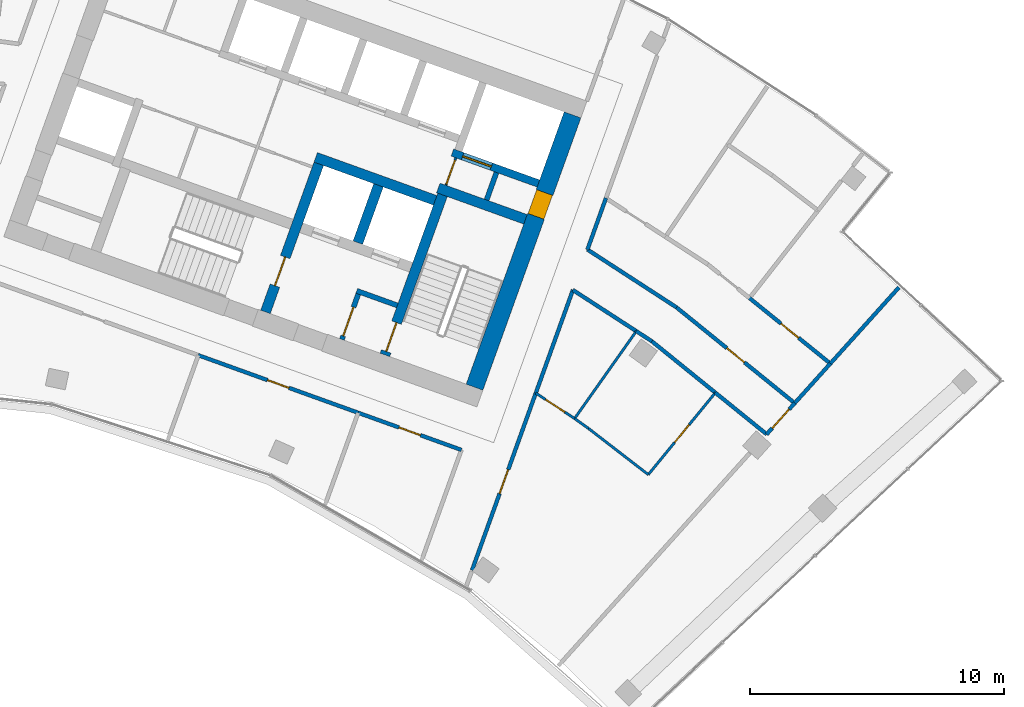
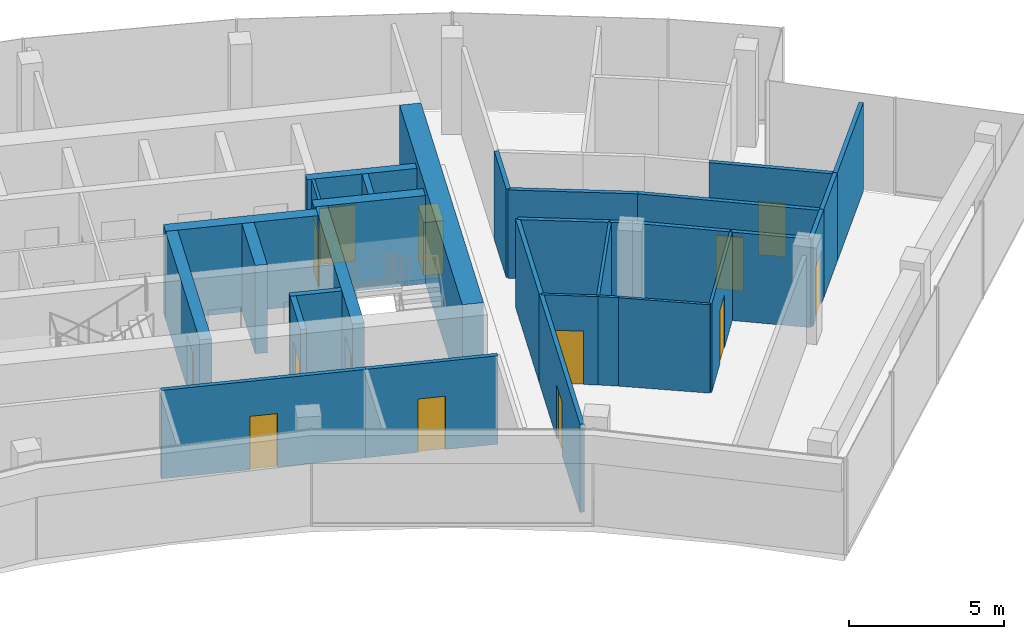
# One storey, part 16 of 18: 31 walls, 14 doors, 14 openings.
"""IFC4 building model written with IfcOpenShell, lengths in metres."""

import ifcopenshell
import ifcopenshell.guid

model = None  # the IFC model being written
_history = None  # IfcOwnerHistory: only IFC2X3 demands one
_inside = {}  # id of a spatial element -> (the spatial element, [elements in it])
_under = {}  # id of a project, library or spatial element -> (it, [spatial elements below it])
_declared = {}  # id of a project -> (the project, [libraries it declares])
_typed = {}  # id of a type object -> (the type object, [elements of that type])
_made_of = {}  # id of a material, layer set ... -> (it, [elements and type objects made of it])


def new_model(schema):
    """Start an empty IFC model of exactly this schema.

    Asked for "IFC4X3", IfcOpenShell would pick the latest addendum, in which some entities
    have other attributes; the version numbers below select the first issue.
    IFC2X3 requires an IfcOwnerHistory on every rooted entity: one is made here for all.
    """
    global model, _history
    if schema == "IFC4X3":
        model = ifcopenshell.file(schema_version=(4, 3, 0, 0))
    else:
        model = ifcopenshell.file(schema=schema)
    _inside.clear()
    _under.clear()
    _declared.clear()
    _typed.clear()
    _made_of.clear()
    _history = None
    if model.schema == "IFC2X3":
        org = make("IfcOrganization", Name="unknown")
        user = make(
            "IfcPersonAndOrganization",
            ThePerson=make("IfcPerson", FamilyName="unknown"),
            TheOrganization=org,
        )
        app = make(
            "IfcApplication",
            ApplicationDeveloper=org,
            Version="unknown",
            ApplicationFullName="unknown",
            ApplicationIdentifier="unknown",
        )
        _history = make(
            "IfcOwnerHistory",
            OwningUser=user,
            OwningApplication=app,
            ChangeAction="ADDED",
            CreationDate=0,
        )
    return model


def make(cls, **values):
    """One entity of the class cls with the attributes given. An attribute that is None is left unset."""
    return model.create_entity(
        cls, **{name: value for name, value in values.items() if value is not None}
    )


def rooted(cls, **values):
    """An entity with a GlobalId (a new one), such as an element, a storey or a relation."""
    return make(cls, GlobalId=ifcopenshell.guid.new(), OwnerHistory=_history, **values)


def si_unit(unit_type, name, prefix=None):
    """IfcSIUnit, for example si_unit("LENGTHUNIT", "METRE", prefix="MILLI")."""
    return make("IfcSIUnit", UnitType=unit_type, Prefix=prefix, Name=name)


def assignment(units):
    """IfcUnitAssignment: the units of a project."""
    return None if units is None else make("IfcUnitAssignment", Units=units)


def point(xyz):
    """IfcCartesianPoint."""
    return None if xyz is None else make("IfcCartesianPoint", Coordinates=xyz)


def direction(xyz):
    """IfcDirection."""
    return None if xyz is None else make("IfcDirection", DirectionRatios=xyz)


def frame(location, z_axis=None, x_axis=None):
    """IfcAxis2Placement3D, a coordinate frame: its origin and axes. An axis left out is left unset."""
    return make(
        "IfcAxis2Placement3D",
        Location=point(location),
        Axis=direction(z_axis),
        RefDirection=direction(x_axis),
    )


def frame_2d(location, x_axis=None):
    """IfcAxis2Placement2D, a coordinate frame in the plane: its origin and x axis."""
    return make(
        "IfcAxis2Placement2D", Location=point(location), RefDirection=direction(x_axis)
    )


def origin():
    """The frame at (0, 0, 0) with its axes left unset."""
    return frame((0.0, 0.0, 0.0))


def place(relative_to, where):
    """IfcLocalPlacement: puts the frame where relative to a parent placement (None: the world)."""
    return make(
        "IfcLocalPlacement", PlacementRelTo=relative_to, RelativePlacement=where
    )


def context(
    kind, dimensions, precision=None, world=None, true_north=None, identifier=None
):
    """IfcGeometricRepresentationContext, for example the 3D "Model" context."""
    return make(
        "IfcGeometricRepresentationContext",
        ContextIdentifier=identifier,
        ContextType=kind,
        CoordinateSpaceDimension=dimensions,
        Precision=precision,
        WorldCoordinateSystem=world,
        TrueNorth=true_north,
    )


def subcontext(parent, identifier, kind, view, scale=None):
    """IfcGeometricRepresentationSubContext, for example "Body" below "Model"."""
    return make(
        "IfcGeometricRepresentationSubContext",
        ContextIdentifier=identifier,
        ContextType=kind,
        ParentContext=parent,
        TargetScale=scale,
        TargetView=view,
    )


def project(units=None, contexts=None):
    """IfcProject with its units and contexts."""
    return rooted(
        "IfcProject",
        Name="project",
        RepresentationContexts=contexts,
        UnitsInContext=assignment(units),
    )


def spatial(cls, under=None, at=None, **own):
    """A site, building, storey or space (cls), placed at a placement, below another one or the project."""
    s = rooted(cls, ObjectPlacement=at, **own)
    if under is not None:
        _under.setdefault(under.id(), (under, []))[1].append(s)
    return s


def profile(cls, at=None, kind="AREA", **sizes):
    """A parametric profile (cls). Its sizes go by their IFC names, for example OverallWidth=200.0."""
    return make(cls, ProfileType=kind, Position=at, **sizes)


def rectangle(**sizes):
    """IfcRectangleProfileDef."""
    return profile("IfcRectangleProfileDef", **sizes)


def extrude(swept, where, along, depth):
    """IfcExtrudedAreaSolid: the profile swept, set in the frame where, extruded along a direction by depth."""
    return make(
        "IfcExtrudedAreaSolid",
        SweptArea=swept,
        Position=where,
        ExtrudedDirection=direction(along),
        Depth=depth,
    )


def shape(context_of_items, identifier, shape_type, items):
    """IfcShapeRepresentation: the items that make up one representation, for example the "Body"."""
    return make(
        "IfcShapeRepresentation",
        ContextOfItems=context_of_items,
        RepresentationIdentifier=identifier,
        RepresentationType=shape_type,
        Items=items,
    )


def material(Name=None, Category=None):
    """IfcMaterial."""
    return make("IfcMaterial", Name=Name, Category=Category)


def layer(
    of_material, thickness, ventilated=None, Name=None, Category=None, Priority=None
):
    """IfcMaterialLayer: one layer of a wall or slab, of a material (None: an air gap)."""
    return make(
        "IfcMaterialLayer",
        Material=of_material,
        LayerThickness=thickness,
        IsVentilated=ventilated,
        Name=Name,
        Category=Category,
        Priority=Priority,
    )


def layer_set(layers, Name=None):
    """IfcMaterialLayerSet."""
    return make("IfcMaterialLayerSet", MaterialLayers=layers, LayerSetName=Name)


def made_of(thing, what):
    """Note that an element or type object is made of a material, layer set ...; save() writes the relation."""
    if what is not None:
        _made_of.setdefault(what.id(), (what, []))[1].append(thing)
    return thing


def type_object(cls, material=None, **own):
    """A type object (cls), such as IfcWallType, which elements share."""
    return made_of(rooted(cls, **own), material)


def element(
    cls,
    number,
    at=None,
    inside=None,
    cuts=None,
    type_object=None,
    material=None,
    context=None,
    identifier="Body",
    shape_type=None,
    held_by="IfcProductDefinitionShape",
    body=None,
    shapes=None,
    **own,
):
    """One element of the class cls, such as IfcWall. Its Tag is "e" and its number.

    at: its placement. inside: the storey or other place that contains it. cuts: it is an
    opening in that element (IfcRelVoidsElement). A single representation is given by context,
    identifier, shape_type and body (its items); several are given by shapes. held_by: the class
    of the entity that holds the representations. save() writes the other relations.
    """
    e = rooted(cls, Tag="e%d" % number, ObjectPlacement=at, **own)
    if body is not None:
        shapes = [shape(context, identifier, shape_type, body)]
    if shapes is not None:
        e.Representation = make(held_by, Representations=shapes)
    if inside is not None:
        _inside.setdefault(inside.id(), (inside, []))[1].append(e)
    if cuts is not None:
        rooted(
            "IfcRelVoidsElement", RelatingBuildingElement=cuts, RelatedOpeningElement=e
        )
    if type_object is not None:
        _typed.setdefault(type_object.id(), (type_object, []))[1].append(e)
    return made_of(e, material)


def fill(opening, filler):
    """IfcRelFillsElement: the door or window that sits in an opening."""
    return rooted(
        "IfcRelFillsElement",
        RelatingOpeningElement=opening,
        RelatedBuildingElement=filler,
    )


def aggregate(whole, parts):
    """IfcRelAggregates: a whole, such as a stair, and the parts it consists of."""
    return rooted("IfcRelAggregates", RelatingObject=whole, RelatedObjects=parts)


def save(model, path):
    """Write the relations noted so far, then the file.

    IfcRelAggregates (storeys below a building ...), IfcRelContainedInSpatialStructure (elements
    in a storey), IfcRelDefinesByType, IfcRelAssociatesMaterial and IfcRelDeclares: one each for
    every whole, place, type object, material and project.
    """
    for whole, parts in _under.values():
        aggregate(whole, parts)
    for where, things in _inside.values():
        rooted(
            "IfcRelContainedInSpatialStructure",
            RelatedElements=things,
            RelatingStructure=where,
        )
    for kind, things in _typed.values():
        rooted("IfcRelDefinesByType", RelatedObjects=things, RelatingType=kind)
    for what, things in _made_of.values():
        rooted("IfcRelAssociatesMaterial", RelatedObjects=things, RelatingMaterial=what)
    for by, libraries in _declared.values():
        rooted("IfcRelDeclares", RelatingContext=by, RelatedDefinitions=libraries)
    model.write(path)


model = new_model("IFC4")

# Units and contexts
model_context = context("Model", 3, precision=1e-05, world=origin(), true_north=direction((0.0, 1.0)))
body_context = subcontext(model_context, "Body", "Model", "MODEL_VIEW")
ifc_project = project(units=[si_unit("LENGTHUNIT", "METRE"), si_unit("AREAUNIT", "SQUARE_METRE"), si_unit("VOLUMEUNIT", "CUBIC_METRE"), si_unit("PLANEANGLEUNIT", "RADIAN"), si_unit("MASSUNIT", "GRAM", prefix="KILO")], contexts=[model_context])

# Site, building, storey
site_placement = place(None, origin())
site = spatial("IfcSite", under=ifc_project, at=site_placement, CompositionType="ELEMENT")
building_placement = place(site_placement, origin())
building = spatial("IfcBuilding", under=site, at=building_placement, Name="Stone Belt Terrace Tower", CompositionType="ELEMENT")
storey_placement = place(building_placement, frame((0.0, 0.0, 277.0)))
storey = spatial("IfcBuildingStorey", under=building, at=storey_placement, Name="L67", CompositionType="ELEMENT", Elevation=277.0)

# Wall, opening, door
ifc_material_1 = material(Name="Plasterboard partition")
ifc_layer_1 = layer(ifc_material_1, 0.10009765625)
ifc_layer_set_1 = layer_set([ifc_layer_1], Name="Core partition 100")
wall_type_1 = type_object("IfcWallType", Name="Core partition 100", PredefinedType="PARTITIONING", material=ifc_layer_set_1)
wall_1_placement = place(storey_placement, frame((24.555908203125, 51.10400390625, 0.0), z_axis=(0.0, 0.0, 1.0), x_axis=(0.338621735342, 0.94092258999, 0.0)))
wall_1 = element("IfcWall", 1, at=wall_1_placement, inside=storey, type_object=wall_type_1, Name="Core B wall", PredefinedType="PARTITIONING", context=body_context, shape_type="SweptSolid", body=[
    extrude(rectangle(XDim=1.14990234375, YDim=0.10009765625, at=frame_2d((0.574951171875, 0.0))), origin(), (0.0, 0.0, 1.0), 3.47998046875),
])
opening_1_placement = place(wall_1_placement, frame((0.050048828125, 0.0, 0.0)))
opening_1 = element("IfcOpeningElement", 2, at=opening_1_placement, cuts=wall_1, Name="Opening L67-C23", PredefinedType="OPENING", context=body_context, shape_type="SweptSolid", body=[
    extrude(rectangle(XDim=1.0, YDim=2.10009765625, at=frame_2d((0.5, 1.050048828125))), frame((0.0, 0.06005859375, 0.0), z_axis=(0.0, -1.0, 0.0), x_axis=(1.0, 0.0, 0.0)), (0.0, 0.0, 1.0), 0.1201171875),
])
ifc_material_2 = material(Name="Timber door leaf", Category="wood")
door_type_1 = type_object("IfcDoorType", Name="Core room door 1000", OperationType="SINGLE_SWING_LEFT", PredefinedType="DOOR", material=ifc_material_2)
door_1_placement = place(opening_1_placement, origin())
door_1 = element("IfcDoor", 3, at=door_1_placement, inside=storey, type_object=door_type_1, Name="Service lift lobby door core B", OperationType="SINGLE_SWING_LEFT", OverallHeight=2.10009765625, OverallWidth=1.0, PredefinedType="DOOR", context=body_context, shape_type="SweptSolid", body=[
    extrude(rectangle(XDim=1.0, YDim=2.10009765625, at=frame_2d((0.5, 1.050048828125))), frame((0.0, 0.02490234375, 0.0), z_axis=(0.0, -1.0, 0.0), x_axis=(1.0, 0.0, 0.0)), (0.0, 0.0, 1.0), 0.050048828125),
])
fill(opening_1, door_1)

ifc_material_3 = material(Name="Concrete B60", Category="concrete")
ifc_layer_2 = layer(ifc_material_3, 0.699951171875)
ifc_layer_set_2 = layer_set([ifc_layer_2], Name="Core wall 700 B60")
wall_type_2 = type_object("IfcWallType", Name="Core wall 700 B60", PredefinedType="SHEAR", material=ifc_layer_set_2)
wall_2_placement = place(storey_placement, frame((25.679931640625, 43.153564453125, 0.0), z_axis=(0.0, 0.0, 1.0), x_axis=(0.338625431531, 0.940921259788, 0.0)))
wall_2 = element("IfcWall", 4, at=wall_2_placement, inside=storey, type_object=wall_type_2, Name="Core B wall end_b L67", PredefinedType="SHEAR", context=body_context, shape_type="SweptSolid", body=[
    extrude(rectangle(XDim=11.400146484375, YDim=0.699951171875, at=frame_2d((5.7001953125, 0.0))), origin(), (0.0, 0.0, 1.0), 3.800048828125),
])
opening_2_placement = place(wall_2_placement, frame((7.14990234375, 0.0, 0.0)))
opening_2 = element("IfcOpeningElement", 5, at=opening_2_placement, cuts=wall_2, Name="Opening L67-C22", PredefinedType="OPENING", context=body_context, shape_type="SweptSolid", body=[
    extrude(rectangle(XDim=1.0, YDim=2.10009765625, at=frame_2d((0.5, 1.050048828125))), frame((0.0, 0.35986328125, 0.0), z_axis=(0.0, -1.0, 0.0), x_axis=(1.0, 0.0, 0.0)), (0.0, 0.0, 1.0), 0.719970703125),
])
door_2_placement = place(opening_2_placement, origin())
door_2 = element("IfcDoor", 6, at=door_2_placement, inside=storey, type_object=door_type_1, Name="Door to Telecommunications riser room core B", OperationType="SINGLE_SWING_RIGHT", OverallHeight=2.10009765625, OverallWidth=1.0, PredefinedType="DOOR", context=body_context, shape_type="SweptSolid", body=[
    extrude(rectangle(XDim=1.0, YDim=2.10009765625, at=frame_2d((0.5, 1.050048828125))), frame((0.0, 0.330078125, 0.0), z_axis=(0.0, -1.0, 0.0), x_axis=(1.0, 0.0, 0.0)), (0.0, 0.0, 1.0), 0.659912109375),
])
fill(opening_2, door_2)

# Walls
ifc_material_4 = material(Name="Concrete B80", Category="concrete")
ifc_layer_3 = layer(ifc_material_4, 0.39990234375)
ifc_layer_set_3 = layer_set([ifc_layer_3], Name="Fire-fighting lift shaft wall 400")
wall_type_3 = type_object("IfcWallType", Name="Fire-fighting lift shaft wall 400", PredefinedType="SHEAR", material=ifc_layer_set_3)
wall_3_placement = place(storey_placement, frame((24.130615234375, 50.512939453125, 0.0), z_axis=(0.0, 0.0, 1.0), x_axis=(-0.94091168377, 0.338652038744, 0.0)))
element("IfcWall", 7, at=wall_3_placement, inside=storey, type_object=wall_type_3, Name="Core B wall", PredefinedType="SHEAR", context=body_context, shape_type="SweptSolid", body=[
    extrude(rectangle(XDim=5.000244140625, YDim=0.39990234375, at=frame_2d((2.5, 0.0))), origin(), (0.0, 0.0, 1.0), 3.47998046875),
])
wall_4_placement = place(storey_placement, frame((21.0859375, 48.845458984375, 0.0), z_axis=(0.0, 0.0, 1.0), x_axis=(0.338629416206, 0.940919825745, 0.0)))
element("IfcWall", 8, at=wall_4_placement, inside=storey, type_object=wall_type_3, Name="Core B wall", PredefinedType="SHEAR", context=body_context, shape_type="SweptSolid", body=[
    extrude(rectangle(XDim=2.400146484375, YDim=0.39990234375, at=frame_2d((1.2001953125, 0.0))), origin(), (0.0, 0.0, 1.0), 3.47998046875),
])

# Wall, opening, door
ifc_layer_4 = layer(ifc_material_4, 0.300048828125)
ifc_layer_set_4 = layer_set([ifc_layer_4], Name="Lift shaft wall 300")
wall_type_4 = type_object("IfcWallType", Name="Lift shaft wall 300", PredefinedType="SHEAR", material=ifc_layer_set_4)
wall_5_placement = place(storey_placement, frame((28.195068359375, 51.17578125, 0.0), z_axis=(0.0, 0.0, 1.0), x_axis=(-0.940901243567, 0.338681044427, 0.0)))
wall_5 = element("IfcWall", 9, at=wall_5_placement, inside=storey, type_object=wall_type_4, Name="Core B wall", PredefinedType="SHEAR", context=body_context, shape_type="SweptSolid", body=[
    extrude(rectangle(XDim=3.599853515625, YDim=0.300048828125, at=frame_2d((1.7998046875, 0.0))), origin(), (0.0, 0.0, 1.0), 3.47998046875),
])
opening_3_placement = place(wall_5_placement, frame((1.969970703125, 0.0, 0.0)))
opening_3 = element("IfcOpeningElement", 10, at=opening_3_placement, cuts=wall_5, Name="Opening L67-LD14", PredefinedType="OPENING", context=body_context, shape_type="SweptSolid", body=[
    extrude(rectangle(XDim=1.199951171875, YDim=2.199951171875, at=frame_2d((0.60009765625, 1.10009765625))), frame((0.0, 0.159912109375, 0.0), z_axis=(0.0, -1.0, 0.0), x_axis=(1.0, 0.0, 0.0)), (0.0, 0.0, 1.0), 0.320068359375),
])
ifc_material_5 = material(Name="Stainless steel door leaf", Category="steel")
door_type_2 = type_object("IfcDoorType", Name="Landing door 1200", OperationType="SLIDING_TO_LEFT", PredefinedType="DOOR", material=ifc_material_5)
door_3_placement = place(opening_3_placement, origin())
door_3 = element("IfcDoor", 11, at=door_3_placement, inside=storey, type_object=door_type_2, Name="Landing door SV1 core B", OperationType="SLIDING_TO_LEFT", OverallHeight=2.199951171875, OverallWidth=1.199951171875, PredefinedType="DOOR", context=body_context, shape_type="SweptSolid", body=[
    extrude(rectangle(XDim=1.199951171875, YDim=2.199951171875, at=frame_2d((0.60009765625, 1.10009765625))), frame((0.0, 0.02490234375, 0.0), z_axis=(0.0, -1.0, 0.0), x_axis=(1.0, 0.0, 0.0)), (0.0, 0.0, 1.0), 0.050048828125),
])
fill(opening_3, door_3)

ifc_material_6 = material(Name="Gypsum board partition")
ifc_layer_5 = layer(ifc_material_6, 0.10009765625)
ifc_layer_set_5 = layer_set([ifc_layer_5], Name="PARTITION 100")
wall_type_5 = type_object("IfcWallType", Name="PARTITION 100", PredefinedType="PARTITIONING", material=ifc_layer_set_5)
wall_6_placement = place(storey_placement, frame((28.093017578125, 42.9208984375, 0.0), z_axis=(0.0, 0.0, 1.0), x_axis=(0.836665899721, -0.547713585958, 0.0)))
wall_6 = element("IfcWall", 12, at=wall_6_placement, inside=storey, type_object=wall_type_5, Name="L67/wall/i070", PredefinedType="PARTITIONING", context=body_context, shape_type="SweptSolid", body=[
    extrude(rectangle(XDim=1.82763671875, YDim=0.10009765625, at=frame_2d((0.913818359375, 0.0))), origin(), (0.0, 0.0, 1.0), 3.47998046875),
])
opening_4_placement = place(wall_6_placement, frame((0.4638671875, 0.0, 0.0)))
opening_4 = element("IfcOpeningElement", 13, at=opening_4_placement, cuts=wall_6, Name="Opening D-E2-20", PredefinedType="OPENING", context=body_context, shape_type="SweptSolid", body=[
    extrude(rectangle(XDim=0.89990234375, YDim=2.10009765625, at=frame_2d((0.449951171875, 1.050048828125))), frame((0.0, 0.06005859375, 0.0), z_axis=(0.0, -1.0, 0.0), x_axis=(1.0, 0.0, 0.0)), (0.0, 0.0, 1.0), 0.1201171875),
])
door_type_3 = type_object("IfcDoorType", Name="OFFICE DOOR 900 X 2100", OperationType="NOTDEFINED", PredefinedType="DOOR", material=ifc_material_2)
door_4_placement = place(opening_4_placement, origin())
door_4 = element("IfcDoor", 14, at=door_4_placement, inside=storey, type_object=door_type_3, Name="L67/door/i20", OperationType="SINGLE_SWING_RIGHT", OverallHeight=2.10009765625, OverallWidth=0.89990234375, PredefinedType="DOOR", context=body_context, shape_type="SweptSolid", body=[
    extrude(rectangle(XDim=0.89990234375, YDim=2.10009765625, at=frame_2d((0.449951171875, 1.050048828125))), frame((0.0, 0.02490234375, 0.0), z_axis=(0.0, -1.0, 0.0), x_axis=(1.0, 0.0, 0.0)), (0.0, 0.0, 1.0), 0.050048828125),
])
fill(opening_4, door_4)

# Walls
wall_7_placement = place(storey_placement, frame((29.6220703125, 41.919921875, 0.0), z_axis=(0.0, 0.0, 1.0), x_axis=(0.813170941338, -0.582024930878, 0.0)))
element("IfcWall", 15, at=wall_7_placement, inside=storey, type_object=wall_type_5, Name="L67/wall/i071", PredefinedType="PARTITIONING", context=body_context, shape_type="SweptSolid", body=[
    extrude(rectangle(XDim=0.6748046875, YDim=0.10009765625, at=frame_2d((0.33740234375, 0.0))), origin(), (0.0, 0.0, 1.0), 3.47998046875),
])
wall_8_placement = place(storey_placement, frame((30.1708984375, 41.527099609375, 0.0), z_axis=(0.0, 0.0, 1.0), x_axis=(0.791624473006, -0.611007932631, 0.0)))
element("IfcWall", 16, at=wall_8_placement, inside=storey, type_object=wall_type_5, Name="L67/wall/i072", PredefinedType="PARTITIONING", context=body_context, shape_type="SweptSolid", body=[
    extrude(rectangle(XDim=2.972412109375, YDim=0.10009765625, at=frame_2d((1.486328125, 0.0))), origin(), (0.0, 0.0, 1.0), 3.47998046875),
])

# Wall, opening, door
wall_9_placement = place(storey_placement, frame((32.52392578125, 39.7109375, 0.0), z_axis=(0.0, 0.0, 1.0), x_axis=(0.633607556463, 0.7736546157, 0.0)))
wall_9 = element("IfcWall", 17, at=wall_9_placement, inside=storey, type_object=wall_type_5, Name="L67/wall/i073", PredefinedType="PARTITIONING", context=body_context, shape_type="SweptSolid", body=[
    extrude(rectangle(XDim=4.169921875, YDim=0.10009765625, at=frame_2d((2.0849609375, 0.0))), origin(), (0.0, 0.0, 1.0), 3.47998046875),
])
opening_5_placement = place(wall_9_placement, frame((1.635009765625, 0.0, 0.0)))
opening_5 = element("IfcOpeningElement", 18, at=opening_5_placement, cuts=wall_9, Name="Opening D-E2-21", PredefinedType="OPENING", context=body_context, shape_type="SweptSolid", body=[
    extrude(rectangle(XDim=0.89990234375, YDim=2.10009765625, at=frame_2d((0.449951171875, 1.050048828125))), frame((0.0, 0.06005859375, 0.0), z_axis=(0.0, -1.0, 0.0), x_axis=(1.0, 0.0, 0.0)), (0.0, 0.0, 1.0), 0.1201171875),
])
door_5_placement = place(opening_5_placement, origin())
door_5 = element("IfcDoor", 19, at=door_5_placement, inside=storey, type_object=door_type_3, Name="L67/door/i21", OperationType="SINGLE_SWING_RIGHT", OverallHeight=2.10009765625, OverallWidth=0.89990234375, PredefinedType="DOOR", context=body_context, shape_type="SweptSolid", body=[
    extrude(rectangle(XDim=0.89990234375, YDim=2.10009765625, at=frame_2d((0.449951171875, 1.050048828125))), frame((0.0, 0.02490234375, 0.0), z_axis=(0.0, -1.0, 0.0), x_axis=(1.0, 0.0, 0.0)), (0.0, 0.0, 1.0), 0.050048828125),
])
fill(opening_5, door_5)

# Wall
wall_10_placement = place(storey_placement, frame((32.052001953125, 45.35888671875, 0.0), z_axis=(0.0, 0.0, 1.0), x_axis=(-0.577067832251, -0.816696220746, 0.0)))
element("IfcWall", 20, at=wall_10_placement, inside=storey, type_object=wall_type_5, Name="L67/wall/i074", PredefinedType="PARTITIONING", context=body_context, shape_type="SweptSolid", body=[
    extrude(rectangle(XDim=4.2109375, YDim=0.10009765625, at=frame_2d((2.10546875, 0.0))), origin(), (0.0, 0.0, 1.0), 3.47998046875),
])

# Wall, opening, door
ifc_layer_6 = layer(ifc_material_6, 0.14990234375)
ifc_layer_set_6 = layer_set([ifc_layer_6], Name="PARTITION 150 EI 60")
wall_type_6 = type_object("IfcWallType", Name="PARTITION 150 EI 60", PredefinedType="PARTITIONING", material=ifc_layer_set_6)
wall_11_placement = place(storey_placement, frame((28.094970703125, 42.927001953125, 0.0), z_axis=(0.0, 0.0, 1.0), x_axis=(-0.338591381636, -0.94093351321, 0.0)))
wall_11 = element("IfcWall", 21, at=wall_11_placement, inside=storey, type_object=wall_type_6, Name="L67/wall/i024", PredefinedType="PARTITIONING", context=body_context, shape_type="SweptSolid", body=[
    extrude(rectangle(XDim=7.424560546875, YDim=0.14990234375, at=frame_2d((3.71240234375, 0.0))), origin(), (0.0, 0.0, 1.0), 3.47998046875),
])
opening_6_placement = place(wall_11_placement, frame((3.21240234375, 0.0, 0.0)))
opening_6 = element("IfcOpeningElement", 22, at=opening_6_placement, cuts=wall_11, Name="Opening D-E2-19", PredefinedType="OPENING", context=body_context, shape_type="SweptSolid", body=[
    extrude(rectangle(XDim=1.0, YDim=2.10009765625, at=frame_2d((0.5, 1.050048828125))), frame((0.0, 0.0849609375, 0.0), z_axis=(0.0, -1.0, 0.0), x_axis=(1.0, 0.0, 0.0)), (0.0, 0.0, 1.0), 0.169921875),
])
ifc_material_7 = material(Name="Timber fire door leaf", Category="wood")
door_type_4 = type_object("IfcDoorType", Name="TENANCY ENTRANCE DOOR 1000 X 2100", OperationType="NOTDEFINED", PredefinedType="DOOR", material=ifc_material_7)
door_6_placement = place(opening_6_placement, origin())
door_6 = element("IfcDoor", 23, at=door_6_placement, inside=storey, type_object=door_type_4, Name="L67/door/i19", OperationType="SINGLE_SWING_RIGHT", OverallHeight=2.10009765625, OverallWidth=1.0, PredefinedType="DOOR", context=body_context, shape_type="SweptSolid", body=[
    extrude(rectangle(XDim=1.0, YDim=2.10009765625, at=frame_2d((0.5, 1.050048828125))), frame((0.0, 0.02490234375, 0.0), z_axis=(0.0, -1.0, 0.0), x_axis=(1.0, 0.0, 0.0)), (0.0, 0.0, 1.0), 0.050048828125),
])
fill(opening_6, door_6)

# Walls
wall_12_placement = place(storey_placement, frame((29.556884765625, 46.987060546875, 0.0), z_axis=(0.0, 0.0, 1.0), x_axis=(-0.338697494678, -0.940895322073, 0.0)))
element("IfcWall", 24, at=wall_12_placement, inside=storey, type_object=wall_type_6, Name="L67/wall/i026", PredefinedType="PARTITIONING", context=body_context, shape_type="SweptSolid", body=[
    extrude(rectangle(XDim=4.327880859375, YDim=0.14990234375, at=frame_2d((2.1640625, 0.0))), origin(), (0.0, 0.0, 1.0), 3.47998046875),
])
wall_13_placement = place(storey_placement, frame((30.85791015625, 50.60400390625, 0.0), z_axis=(0.0, 0.0, 1.0), x_axis=(-0.338315840616, -0.941032620045, 0.0)))
element("IfcWall", 25, at=wall_13_placement, inside=storey, type_object=wall_type_6, Name="L67/wall/i027", PredefinedType="PARTITIONING", context=body_context, shape_type="SweptSolid", body=[
    extrude(rectangle(XDim=2.16357421875, YDim=0.14990234375, at=frame_2d((1.081787109375, 0.0))), origin(), (0.0, 0.0, 1.0), 3.47998046875),
])

# Wall, opening, door
wall_14_placement = place(storey_placement, frame((21.10400390625, 42.14404296875, 0.0), z_axis=(0.0, 0.0, 1.0), x_axis=(-0.940892519903, 0.338705278952, 0.0)))
wall_14 = element("IfcWall", 26, at=wall_14_placement, inside=storey, type_object=wall_type_6, Name="L67/wall/i031", PredefinedType="PARTITIONING", context=body_context, shape_type="SweptSolid", body=[
    extrude(rectangle(XDim=6.7021484375, YDim=0.14990234375, at=frame_2d((3.35107421875, 0.0))), origin(), (0.0, 0.0, 1.0), 3.47998046875),
])
opening_7_placement = place(wall_14_placement, frame((2.901123046875, 0.0, 0.0)))
opening_7 = element("IfcOpeningElement", 27, at=opening_7_placement, cuts=wall_14, Name="Opening D-E2-07", PredefinedType="OPENING", context=body_context, shape_type="SweptSolid", body=[
    extrude(rectangle(XDim=0.89990234375, YDim=2.10009765625, at=frame_2d((0.449951171875, 1.050048828125))), frame((0.0, 0.0849609375, 0.0), z_axis=(0.0, -1.0, 0.0), x_axis=(1.0, 0.0, 0.0)), (0.0, 0.0, 1.0), 0.169921875),
])
door_7_placement = place(opening_7_placement, origin())
door_7 = element("IfcDoor", 28, at=door_7_placement, inside=storey, type_object=door_type_3, Name="L67/door/i07", OperationType="SINGLE_SWING_RIGHT", OverallHeight=2.10009765625, OverallWidth=0.89990234375, PredefinedType="DOOR", context=body_context, shape_type="SweptSolid", body=[
    extrude(rectangle(XDim=0.89990234375, YDim=2.10009765625, at=frame_2d((0.449951171875, 1.050048828125))), frame((0.0, 0.02490234375, 0.0), z_axis=(0.0, -1.0, 0.0), x_axis=(1.0, 0.0, 0.0)), (0.0, 0.0, 1.0), 0.050048828125),
])
fill(opening_7, door_7)

wall_15_placement = place(storey_placement, frame((25.1630859375, 40.68310546875, 0.0), z_axis=(0.0, 0.0, 1.0), x_axis=(-0.94091546888, 0.338641522001, 0.0)))
wall_15 = element("IfcWall", 29, at=wall_15_placement, inside=storey, type_object=wall_type_6, Name="L67/wall/i032", PredefinedType="PARTITIONING", context=body_context, shape_type="SweptSolid", body=[
    extrude(rectangle(XDim=4.32568359375, YDim=0.14990234375, at=frame_2d((2.162841796875, 0.0))), origin(), (0.0, 0.0, 1.0), 3.47998046875),
])
opening_8_placement = place(wall_15_placement, frame((1.712890625, 0.0, 0.0)))
opening_8 = element("IfcOpeningElement", 30, at=opening_8_placement, cuts=wall_15, Name="Opening D-E2-08", PredefinedType="OPENING", context=body_context, shape_type="SweptSolid", body=[
    extrude(rectangle(XDim=0.89990234375, YDim=2.10009765625, at=frame_2d((0.449951171875, 1.050048828125))), frame((0.0, 0.0849609375, 0.0), z_axis=(0.0, -1.0, 0.0), x_axis=(1.0, 0.0, 0.0)), (0.0, 0.0, 1.0), 0.169921875),
])
door_8_placement = place(opening_8_placement, origin())
door_8 = element("IfcDoor", 31, at=door_8_placement, inside=storey, type_object=door_type_3, Name="L67/door/i08", OperationType="SINGLE_SWING_RIGHT", OverallHeight=2.10009765625, OverallWidth=0.89990234375, PredefinedType="DOOR", context=body_context, shape_type="SweptSolid", body=[
    extrude(rectangle(XDim=0.89990234375, YDim=2.10009765625, at=frame_2d((0.449951171875, 1.050048828125))), frame((0.0, 0.02490234375, 0.0), z_axis=(0.0, -1.0, 0.0), x_axis=(1.0, 0.0, 0.0)), (0.0, 0.0, 1.0), 0.050048828125),
])
fill(opening_8, door_8)

wall_16_placement = place(storey_placement, frame((38.294921875, 42.530029296875, 0.0), z_axis=(0.0, 0.0, 1.0), x_axis=(-0.669037778615, -0.743228397456, 0.0)))
wall_16 = element("IfcWall", 32, at=wall_16_placement, inside=storey, type_object=wall_type_6, Name="L67/wall/i060", PredefinedType="PARTITIONING", context=body_context, shape_type="SweptSolid", body=[
    extrude(rectangle(XDim=1.661865234375, YDim=0.14990234375, at=frame_2d((0.8310546875, 0.0))), origin(), (0.0, 0.0, 1.0), 3.47998046875),
])
opening_9_placement = place(wall_16_placement, frame((0.330810546875, 0.0, 0.0)))
opening_9 = element("IfcOpeningElement", 33, at=opening_9_placement, cuts=wall_16, Name="Opening D-E2-18", PredefinedType="OPENING", context=body_context, shape_type="SweptSolid", body=[
    extrude(rectangle(XDim=1.0, YDim=2.10009765625, at=frame_2d((0.5, 1.050048828125))), frame((0.0, 0.0849609375, 0.0), z_axis=(0.0, -1.0, 0.0), x_axis=(1.0, 0.0, 0.0)), (0.0, 0.0, 1.0), 0.169921875),
])
door_9_placement = place(opening_9_placement, origin())
door_9 = element("IfcDoor", 34, at=door_9_placement, inside=storey, type_object=door_type_4, Name="L67/door/i18", OperationType="SINGLE_SWING_RIGHT", OverallHeight=2.10009765625, OverallWidth=1.0, PredefinedType="DOOR", context=body_context, shape_type="SweptSolid", body=[
    extrude(rectangle(XDim=1.0, YDim=2.10009765625, at=frame_2d((0.5, 1.050048828125))), frame((0.0, 0.02490234375, 0.0), z_axis=(0.0, -1.0, 0.0), x_axis=(1.0, 0.0, 0.0)), (0.0, 0.0, 1.0), 0.050048828125),
])
fill(opening_9, door_9)

# Walls
wall_17_placement = place(storey_placement, frame((38.287109375, 42.52099609375, 0.0), z_axis=(0.0, 0.0, 1.0), x_axis=(0.668856019275, 0.743391972972, 0.0)))
element("IfcWall", 35, at=wall_17_placement, inside=storey, type_object=wall_type_6, Name="L67/wall/i062", PredefinedType="PARTITIONING", context=body_context, shape_type="SweptSolid", body=[
    extrude(rectangle(XDim=2.109375, YDim=0.14990234375, at=frame_2d((1.0546875, 0.0))), origin(), (0.0, 0.0, 1.0), 3.47998046875),
])
wall_18_placement = place(storey_placement, frame((39.69091796875, 44.080078125, 0.0), z_axis=(0.0, 0.0, 1.0), x_axis=(0.669038042055, 0.743228160314, 0.0)))
element("IfcWall", 36, at=wall_18_placement, inside=storey, type_object=wall_type_6, Name="L67/wall/i063", PredefinedType="PARTITIONING", context=body_context, shape_type="SweptSolid", body=[
    extrude(rectangle(XDim=4.047607421875, YDim=0.14990234375, at=frame_2d((2.02392578125, 0.0))), origin(), (0.0, 0.0, 1.0), 3.47998046875),
])
wall_19_placement = place(storey_placement, frame((37.18701171875, 41.300048828125, 0.0), z_axis=(0.0, 0.0, 1.0), x_axis=(-0.777118376865, 0.629354453658, 0.0)))
element("IfcWall", 37, at=wall_19_placement, inside=storey, type_object=wall_type_6, Name="L67/wall/i064", PredefinedType="PARTITIONING", context=body_context, shape_type="SweptSolid", body=[
    extrude(rectangle(XDim=2.607177734375, YDim=0.14990234375, at=frame_2d((1.3037109375, 0.0))), origin(), (0.0, 0.0, 1.0), 3.47998046875),
])
wall_20_placement = place(storey_placement, frame((32.056884765625, 45.35693359375, 0.0), z_axis=(0.0, 0.0, 1.0), x_axis=(-0.838787531039, 0.544458885292, 0.0)))
element("IfcWall", 38, at=wall_20_placement, inside=storey, type_object=wall_type_6, Name="L67/wall/i065", PredefinedType="PARTITIONING", context=body_context, shape_type="SweptSolid", body=[
    extrude(rectangle(XDim=2.98291015625, YDim=0.14990234375, at=frame_2d((1.491455078125, 0.0))), origin(), (0.0, 0.0, 1.0), 3.47998046875),
])
wall_21_placement = place(storey_placement, frame((35.1708984375, 42.93310546875, 0.0), z_axis=(0.0, 0.0, 1.0), x_axis=(-0.777234285816, 0.629211303897, 0.0)))
element("IfcWall", 39, at=wall_21_placement, inside=storey, type_object=wall_type_6, Name="L67/wall/i066", PredefinedType="PARTITIONING", context=body_context, shape_type="SweptSolid", body=[
    extrude(rectangle(XDim=3.222900390625, YDim=0.14990234375, at=frame_2d((1.611328125, 0.0))), origin(), (0.0, 0.0, 1.0), 3.47998046875),
])
wall_22_placement = place(storey_placement, frame((32.666015625, 44.9609375, 0.0), z_axis=(0.0, 0.0, 1.0), x_axis=(-0.838163562797, 0.545418960066, 0.0)))
element("IfcWall", 40, at=wall_22_placement, inside=storey, type_object=wall_type_6, Name="L67/wall/i067", PredefinedType="PARTITIONING", context=body_context, shape_type="SweptSolid", body=[
    extrude(rectangle(XDim=0.7373046875, YDim=0.14990234375, at=frame_2d((0.36865234375, 0.0))), origin(), (0.0, 0.0, 1.0), 3.47998046875),
])
wall_23_placement = place(storey_placement, frame((30.1279296875, 48.573974609375, 0.0), z_axis=(0.0, 0.0, 1.0), x_axis=(0.838679571288, -0.544625170832, 0.0)))
element("IfcWall", 41, at=wall_23_placement, inside=storey, type_object=wall_type_6, Name="L67/wall/i068", PredefinedType="PARTITIONING", context=body_context, shape_type="SweptSolid", body=[
    extrude(rectangle(XDim=4.182861328125, YDim=0.14990234375, at=frame_2d((2.09130859375, 0.0))), origin(), (0.0, 0.0, 1.0), 3.47998046875),
])

# Wall, opening, door
wall_24_placement = place(storey_placement, frame((33.635986328125, 46.2958984375, 0.0), z_axis=(0.0, 0.0, 1.0), x_axis=(0.777109127033, -0.629365875054, 0.0)))
wall_24 = element("IfcWall", 42, at=wall_24_placement, inside=storey, type_object=wall_type_6, Name="L67/wall/i069", PredefinedType="PARTITIONING", context=body_context, shape_type="SweptSolid", body=[
    extrude(rectangle(XDim=5.990234375, YDim=0.14990234375, at=frame_2d((2.9951171875, 0.0))), origin(), (0.0, 0.0, 1.0), 3.47998046875),
])
opening_10_placement = place(wall_24_placement, frame((2.545166015625, 0.0, 0.0)))
opening_10 = element("IfcOpeningElement", 43, at=opening_10_placement, cuts=wall_24, Name="Opening D-E2-22", PredefinedType="OPENING", context=body_context, shape_type="SweptSolid", body=[
    extrude(rectangle(XDim=0.89990234375, YDim=2.10009765625, at=frame_2d((0.449951171875, 1.050048828125))), frame((0.0, 0.0849609375, 0.0), z_axis=(0.0, -1.0, 0.0), x_axis=(1.0, 0.0, 0.0)), (0.0, 0.0, 1.0), 0.169921875),
])
door_10_placement = place(opening_10_placement, origin())
door_10 = element("IfcDoor", 44, at=door_10_placement, inside=storey, type_object=door_type_3, Name="L67/door/i22", OperationType="SINGLE_SWING_RIGHT", OverallHeight=2.10009765625, OverallWidth=0.89990234375, PredefinedType="DOOR", context=body_context, shape_type="SweptSolid", body=[
    extrude(rectangle(XDim=0.89990234375, YDim=2.10009765625, at=frame_2d((0.449951171875, 1.050048828125))), frame((0.0, 0.02490234375, 0.0), z_axis=(0.0, -1.0, 0.0), x_axis=(1.0, 0.0, 0.0)), (0.0, 0.0, 1.0), 0.050048828125),
])
fill(opening_10, door_10)

wall_25_placement = place(storey_placement, frame((36.5048828125, 46.6669921875, 0.0), z_axis=(0.0, 0.0, 1.0), x_axis=(0.777210230824, -0.629241016703, 0.0)))
wall_25 = element("IfcWall", 45, at=wall_25_placement, inside=storey, type_object=wall_type_6, Name="L67/wall/i078", PredefinedType="PARTITIONING", context=body_context, shape_type="SweptSolid", body=[
    extrude(rectangle(XDim=4.103515625, YDim=0.14990234375, at=frame_2d((2.0517578125, 0.0))), origin(), (0.0, 0.0, 1.0), 3.47998046875),
])
opening_11_placement = place(wall_25_placement, frame((1.6015625, 0.0, 0.0)))
opening_11 = element("IfcOpeningElement", 46, at=opening_11_placement, cuts=wall_25, Name="Opening D-E2-25", PredefinedType="OPENING", context=body_context, shape_type="SweptSolid", body=[
    extrude(rectangle(XDim=0.89990234375, YDim=2.10009765625, at=frame_2d((0.449951171875, 1.050048828125))), frame((0.0, 0.0849609375, 0.0), z_axis=(0.0, -1.0, 0.0), x_axis=(1.0, 0.0, 0.0)), (0.0, 0.0, 1.0), 0.169921875),
])
door_11_placement = place(opening_11_placement, origin())
door_11 = element("IfcDoor", 47, at=door_11_placement, inside=storey, type_object=door_type_3, Name="L67/door/i25", OperationType="SINGLE_SWING_RIGHT", OverallHeight=2.10009765625, OverallWidth=0.89990234375, PredefinedType="DOOR", context=body_context, shape_type="SweptSolid", body=[
    extrude(rectangle(XDim=0.89990234375, YDim=2.10009765625, at=frame_2d((0.449951171875, 1.050048828125))), frame((0.0, 0.02490234375, 0.0), z_axis=(0.0, -1.0, 0.0), x_axis=(1.0, 0.0, 0.0)), (0.0, 0.0, 1.0), 0.050048828125),
])
fill(opening_11, door_11)

# Walls
ifc_material_8 = material(Name="Concrete masonry block", Category="masonry")
ifc_layer_7 = layer(ifc_material_8, 0.199951171875)
ifc_layer_set_7 = layer_set([ifc_layer_7], Name="Rated lobby wall 200")
wall_type_7 = type_object("IfcWallType", Name="Rated lobby wall 200", PredefinedType="PARTITIONING", material=ifc_layer_set_7)
wall_26_placement = place(storey_placement, frame((26.1552734375, 50.5283203125, 0.0), z_axis=(0.0, 0.0, 1.0), x_axis=(0.338621735342, 0.94092258999, 0.0)))
element("IfcWall", 48, at=wall_26_placement, inside=storey, type_object=wall_type_7, Name="Core B wall", PredefinedType="PARTITIONING", context=body_context, shape_type="SweptSolid", body=[
    extrude(rectangle(XDim=1.14990234375, YDim=0.199951171875, at=frame_2d((0.574951171875, 0.0))), origin(), (0.0, 0.0, 1.0), 3.47998046875),
])
wall_27_placement = place(storey_placement, frame((22.640625, 46.373046875, 0.0), z_axis=(0.0, 0.0, 1.0), x_axis=(-0.940966110313, 0.338500781747, 0.0)))
element("IfcWall", 49, at=wall_27_placement, inside=storey, type_object=wall_type_7, Name="Core B wall", PredefinedType="PARTITIONING", context=body_context, shape_type="SweptSolid", body=[
    extrude(rectangle(XDim=1.699951171875, YDim=0.199951171875, at=frame_2d((0.85009765625, 0.0))), origin(), (0.0, 0.0, 1.0), 3.47998046875),
])

# Wall, opening, door
wall_28_placement = place(storey_placement, frame((20.4580078125, 45.032958984375, 0.0), z_axis=(0.0, 0.0, 1.0), x_axis=(0.338573865316, 0.940939816208, 0.0)))
wall_28 = element("IfcWall", 50, at=wall_28_placement, inside=storey, type_object=wall_type_7, Name="Core B wall", PredefinedType="PARTITIONING", context=body_context, shape_type="SweptSolid", body=[
    extrude(rectangle(XDim=1.900146484375, YDim=0.199951171875, at=frame_2d((0.9501953125, 0.0))), origin(), (0.0, 0.0, 1.0), 3.47998046875),
])
opening_12_placement = place(wall_28_placement, frame((0.14990234375, 0.0, 0.0)))
opening_12 = element("IfcOpeningElement", 51, at=opening_12_placement, cuts=wall_28, Name="Opening L67-C27", PredefinedType="OPENING", context=body_context, shape_type="SweptSolid", body=[
    extrude(rectangle(XDim=1.199951171875, YDim=2.10009765625, at=frame_2d((0.60009765625, 1.050048828125))), frame((0.0, 0.10986328125, 0.0), z_axis=(0.0, -1.0, 0.0), x_axis=(1.0, 0.0, 0.0)), (0.0, 0.0, 1.0), 0.219970703125),
])
ifc_material_9 = material(Name="Steel door leaf", Category="steel")
door_type_5 = type_object("IfcDoorType", Name="Stair door 1200", OperationType="SINGLE_SWING_LEFT", PredefinedType="DOOR", material=ifc_material_9)
door_12_placement = place(opening_12_placement, origin())
door_12 = element("IfcDoor", 52, at=door_12_placement, inside=storey, type_object=door_type_5, Name="Stair airlock door core B", OperationType="SINGLE_SWING_LEFT", OverallHeight=2.10009765625, OverallWidth=1.199951171875, PredefinedType="DOOR", context=body_context, shape_type="SweptSolid", body=[
    extrude(rectangle(XDim=1.199951171875, YDim=2.10009765625, at=frame_2d((0.60009765625, 1.050048828125))), frame((0.0, 0.02490234375, 0.0), z_axis=(0.0, -1.0, 0.0), x_axis=(1.0, 0.0, 0.0)), (0.0, 0.0, 1.0), 0.050048828125),
])
fill(opening_12, door_12)

# Wall
ifc_layer_8 = layer(ifc_material_4, 0.39990234375)
ifc_layer_set_8 = layer_set([ifc_layer_8], Name="Stair enclosure wall 400")
wall_type_8 = type_object("IfcWallType", Name="Stair enclosure wall 400", PredefinedType="SHEAR", material=ifc_layer_set_8)
wall_29_placement = place(storey_placement, frame((27.687255859375, 49.764404296875, 0.0), z_axis=(0.0, 0.0, 1.0), x_axis=(-0.940918954884, 0.338631835981, 0.0)))
element("IfcWall", 53, at=wall_29_placement, inside=storey, type_object=wall_type_8, Name="Core B wall", PredefinedType="SHEAR", context=body_context, shape_type="SweptSolid", body=[
    extrude(rectangle(XDim=3.650146484375, YDim=0.39990234375, at=frame_2d((1.8251953125, 0.0))), origin(), (0.0, 0.0, 1.0), 3.47998046875),
])

# Wall, opening, door
wall_30_placement = place(storey_placement, frame((22.151611328125, 44.42333984375, 0.0), z_axis=(0.0, 0.0, 1.0), x_axis=(0.338625272931, 0.940921316866, 0.0)))
wall_30 = element("IfcWall", 54, at=wall_30_placement, inside=storey, type_object=wall_type_8, Name="Core B wall", PredefinedType="SHEAR", context=body_context, shape_type="SweptSolid", body=[
    extrude(rectangle(XDim=6.699951171875, YDim=0.39990234375, at=frame_2d((3.35009765625, 0.0))), origin(), (0.0, 0.0, 1.0), 3.47998046875),
])
opening_13_placement = place(wall_30_placement, frame((0.14990234375, 0.0, 0.0)))
opening_13 = element("IfcOpeningElement", 55, at=opening_13_placement, cuts=wall_30, Name="Opening L67-C26", PredefinedType="OPENING", context=body_context, shape_type="SweptSolid", body=[
    extrude(rectangle(XDim=1.199951171875, YDim=2.10009765625, at=frame_2d((0.60009765625, 1.050048828125))), frame((0.0, 0.2099609375, 0.0), z_axis=(0.0, -1.0, 0.0), x_axis=(1.0, 0.0, 0.0)), (0.0, 0.0, 1.0), 0.419921875),
])
door_13_placement = place(opening_13_placement, origin())
door_13 = element("IfcDoor", 56, at=door_13_placement, inside=storey, type_object=door_type_5, Name="Stair 1 door core B", OperationType="SINGLE_SWING_LEFT", OverallHeight=2.10009765625, OverallWidth=1.199951171875, PredefinedType="DOOR", context=body_context, shape_type="SweptSolid", body=[
    extrude(rectangle(XDim=1.199951171875, YDim=2.10009765625, at=frame_2d((0.60009765625, 1.050048828125))), frame((0.0, 0.02490234375, 0.0), z_axis=(0.0, -1.0, 0.0), x_axis=(1.0, 0.0, 0.0)), (0.0, 0.0, 1.0), 0.050048828125),
])
fill(opening_13, door_13)

wall_31_placement = place(storey_placement, frame((17.447021484375, 46.116455078125, 0.0), z_axis=(0.0, 0.0, 1.0), x_axis=(0.33860791464, 0.940927563707, 0.0)))
wall_31 = element("IfcWall", 57, at=wall_31_placement, inside=storey, type_object=wall_type_8, Name="Core B wall", PredefinedType="SHEAR", context=body_context, shape_type="SweptSolid", body=[
    extrude(rectangle(XDim=6.199951171875, YDim=0.39990234375, at=frame_2d((3.10009765625, 0.0))), origin(), (0.0, 0.0, 1.0), 3.47998046875),
])
opening_14_placement = place(wall_31_placement, frame((1.10009765625, 0.0, 0.0)))
opening_14 = element("IfcOpeningElement", 58, at=opening_14_placement, cuts=wall_31, Name="Opening L67-C29", PredefinedType="OPENING", context=body_context, shape_type="SweptSolid", body=[
    extrude(rectangle(XDim=1.199951171875, YDim=2.10009765625, at=frame_2d((0.60009765625, 1.050048828125))), frame((0.0, 0.2099609375, 0.0), z_axis=(0.0, -1.0, 0.0), x_axis=(1.0, 0.0, 0.0)), (0.0, 0.0, 1.0), 0.419921875),
])
door_14_placement = place(opening_14_placement, origin())
door_14 = element("IfcDoor", 59, at=door_14_placement, inside=storey, type_object=door_type_5, Name="Stair 2 door core B", OperationType="SINGLE_SWING_LEFT", OverallHeight=2.10009765625, OverallWidth=1.199951171875, PredefinedType="DOOR", context=body_context, shape_type="SweptSolid", body=[
    extrude(rectangle(XDim=1.199951171875, YDim=2.10009765625, at=frame_2d((0.60009765625, 1.050048828125))), frame((0.0, 0.02490234375, 0.0), z_axis=(0.0, -1.0, 0.0), x_axis=(1.0, 0.0, 0.0)), (0.0, 0.0, 1.0), 0.050048828125),
])
fill(opening_14, door_14)

save(model, "model.ifc")
